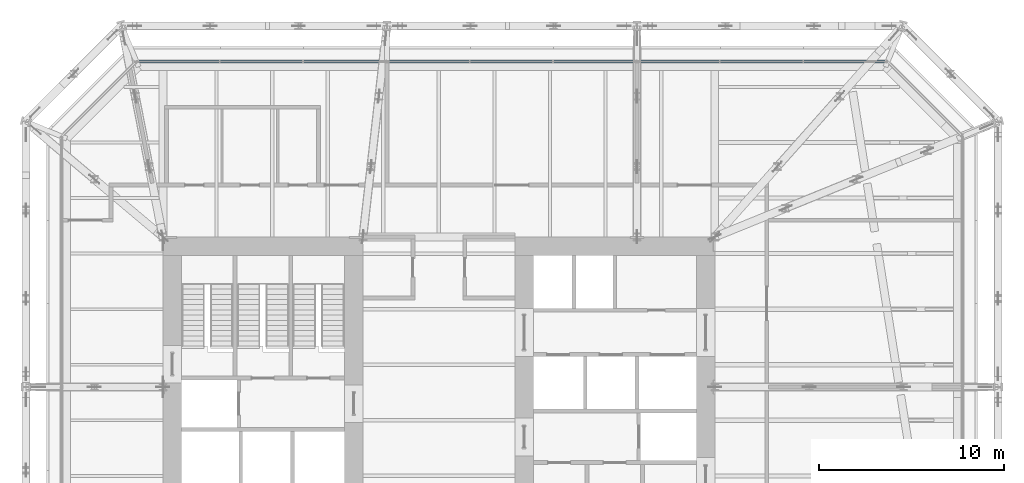
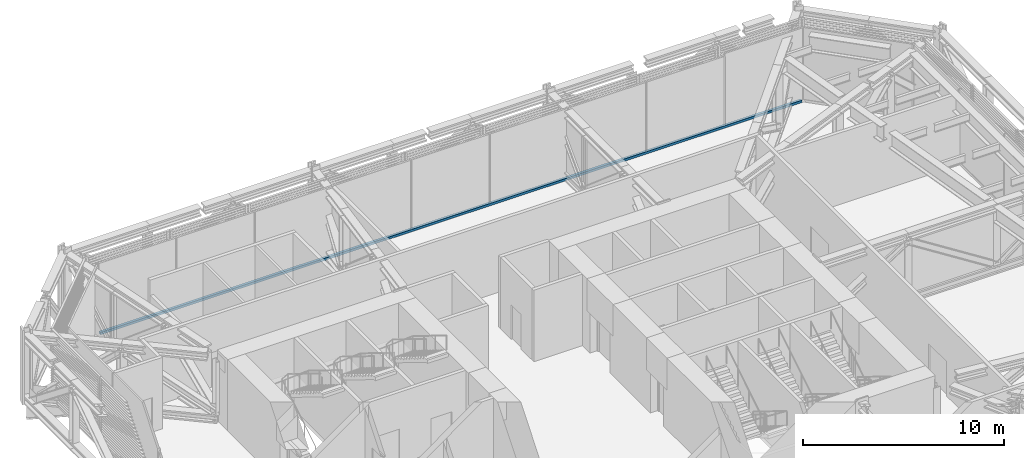
# One storey, part 16 of 31: 1 member, 1 element without a shape of its own.
"""IFC4 building model written with IfcOpenShell, lengths in metres."""

from ifc_helpers import new_model, si_unit, direction, frame, origin, origin_2d, place, context, subcontext, project, spatial, rectangle, extrude, material, layer, layer_set, material_profile, profile_set, type_object, element, aggregate, save


model = new_model("IFC4")

# Units and contexts
model_context = context("Model", 3, precision=1e-05, world=origin(), true_north=direction((0.0, 1.0)))
body_context = subcontext(model_context, "Body", "Model", "MODEL_VIEW")
ifc_project = project(units=[si_unit("LENGTHUNIT", "METRE"), si_unit("AREAUNIT", "SQUARE_METRE"), si_unit("VOLUMEUNIT", "CUBIC_METRE"), si_unit("PLANEANGLEUNIT", "RADIAN"), si_unit("MASSUNIT", "GRAM", prefix="KILO")], contexts=[model_context])

# Site, building, storey
site_placement = place(None, origin())
site = spatial("IfcSite", under=ifc_project, at=site_placement, CompositionType="ELEMENT")
building_placement = place(site_placement, origin())
building = spatial("IfcBuilding", under=site, at=building_placement, Name="Millrace Tower", CompositionType="ELEMENT")
storey_placement = place(building_placement, frame((0.0, 0.0, 120.39990234375)))
storey = spatial("IfcBuildingStorey", under=building, at=storey_placement, Name="L26", CompositionType="ELEMENT", Elevation=120.39990234375)

# Curtain wall, member
ifc_material_1 = material(Name="Aluminium and glass", Category="aluminium")
ifc_layer = layer(ifc_material_1, 0.14990234375)
ifc_layer_set = layer_set([ifc_layer], Name="Aluminium and glass")
curtain_wall_type = type_object("IfcCurtainWallType", Name="CW-5 truss and plant storey louvred infill", PredefinedType="NOTDEFINED", material=ifc_layer_set)
curtain_wall_placement = place(storey_placement, origin())
curtain_wall = element("IfcCurtainWall", 1, at=curtain_wall_placement, inside=storey, type_object=curtain_wall_type, Name="Curtain wall B-F06 L26", PredefinedType="NOTDEFINED")
ifc_material_2 = material(Name="Aluminium", Category="aluminium")
ifc_material_profile = material_profile(ifc_material_2, rectangle(XDim=0.14990234375, YDim=0.139892578125, at=origin_2d()))
ifc_profile_set = profile_set([ifc_material_profile], Name="Aluminium")
member_type = type_object("IfcMemberType", Name="CW-5 truss and plant storey louvred infill transom", PredefinedType="USERDEFINED", material=ifc_profile_set)
member_placement = place(storey_placement, frame((24.10009765625, 19.375, 0.070068359375), z_axis=(-1.0, 0.0, 0.0), x_axis=(0.0, -1.0, 0.0)))
member = element("IfcMember", 2, at=member_placement, type_object=member_type, Name="CW5 transom B-F06.1", ObjectType="TRANSOM", PredefinedType="USERDEFINED", context=body_context, shape_type="SweptSolid", body=[
    extrude(rectangle(XDim=0.14990234375, YDim=0.139892578125, at=origin_2d()), origin(), (0.0, 0.0, 1.0), 40.300048828125),
])
aggregate(curtain_wall, [member])

save(model, "model.ifc")
